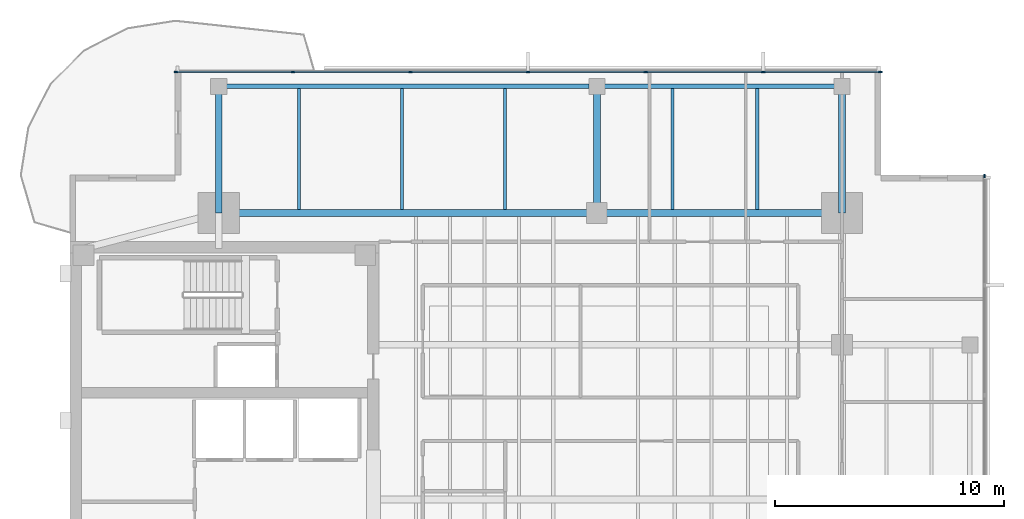
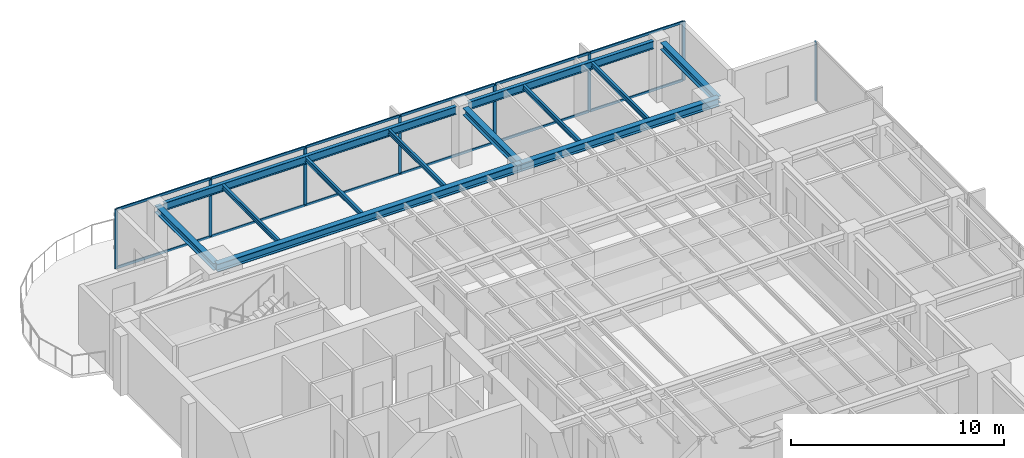
# One storey, part 5 of 13: 20 members, 12 beams, 2 elements without a shape of their own.
"""IFC4 building model written with IfcOpenShell, lengths in metres."""

from ifc_helpers import new_model, si_unit, direction, frame, origin, origin_2d, place, context, subcontext, project, spatial, rectangle, i_section, extrude, material, layer, layer_set, material_profile, profile_set, type_object, element, aggregate, save


model = new_model("IFC4")

# Units and contexts
model_context = context("Model", 3, precision=1e-05, world=origin(), true_north=direction((0.0, 1.0)))
body_context = subcontext(model_context, "Body", "Model", "MODEL_VIEW")
ifc_project = project(units=[si_unit("LENGTHUNIT", "METRE"), si_unit("AREAUNIT", "SQUARE_METRE"), si_unit("VOLUMEUNIT", "CUBIC_METRE"), si_unit("PLANEANGLEUNIT", "RADIAN"), si_unit("MASSUNIT", "GRAM", prefix="KILO")], contexts=[model_context])

# Site, building, storey
site_placement = place(None, origin())
site = spatial("IfcSite", under=ifc_project, at=site_placement, CompositionType="ELEMENT")
building_placement = place(site_placement, origin())
building = spatial("IfcBuilding", under=site, at=building_placement, Name="Kinhvarn Gate Tower", CompositionType="ELEMENT")
storey_placement = place(building_placement, frame((0.0, 0.0, 288.300048828125)))
storey = spatial("IfcBuildingStorey", under=building, at=storey_placement, Name="L77", CompositionType="ELEMENT", Elevation=288.300048828125)

# Curtain wall, members
ifc_material_1 = material(Name="Anodised aluminium AW-6063", Category="aluminium")
ifc_layer = layer(ifc_material_1, 0.179931640625)
ifc_layer_set = layer_set([ifc_layer], Name="Anodised aluminium AW-6063")
curtain_wall_type = type_object("IfcCurtainWallType", Name="CW-SYS-3", PredefinedType="NOTDEFINED", material=ifc_layer_set)
curtain_wall_1_placement = place(storey_placement, origin())
curtain_wall_1 = element("IfcCurtainWall", 1, at=curtain_wall_1_placement, inside=storey, type_object=curtain_wall_type, Name="Curtain Wall CW3 (L77)", PredefinedType="NOTDEFINED")
ifc_material_profile_1 = material_profile(ifc_material_1, rectangle(XDim=0.06494140625, YDim=0.159912109375, at=origin_2d()), Name="ALU 65x160")
ifc_profile_set_1 = profile_set([ifc_material_profile_1], Name="Anodised aluminium AW-6063")
member_type_1 = type_object("IfcMemberType", Name="CW-MUL-160", PredefinedType="MULLION", material=ifc_profile_set_1)
member_1_placement = place(storey_placement, frame((39.867431640625, 43.909912109375, 0.0), z_axis=(0.0, 0.0, 1.0), x_axis=(0.0, -1.0, 0.0)))
member_1 = element("IfcMember", 2, at=member_1_placement, type_object=member_type_1, Name="CW3 mullion 1", PredefinedType="MULLION", context=body_context, shape_type="SweptSolid", body=[
    extrude(rectangle(XDim=0.06494140625, YDim=0.159912109375, at=origin_2d()), origin(), (0.0, 0.0, 1.0), 3.389892578125),
])
member_2_placement = place(storey_placement, frame((34.7666015625, 43.909912109375, 0.0), z_axis=(0.0, 0.0, 1.0), x_axis=(0.0, -1.0, 0.0)))
member_2 = element("IfcMember", 3, at=member_2_placement, type_object=member_type_1, Name="CW3 mullion 2", PredefinedType="MULLION", context=body_context, shape_type="SweptSolid", body=[
    extrude(rectangle(XDim=0.06494140625, YDim=0.159912109375, at=origin_2d()), origin(), (0.0, 0.0, 1.0), 3.389892578125),
])
member_3_placement = place(storey_placement, frame((29.63330078125, 43.909912109375, 0.0), z_axis=(0.0, 0.0, 1.0), x_axis=(0.0, -1.0, 0.0)))
member_3 = element("IfcMember", 4, at=member_3_placement, type_object=member_type_1, Name="CW3 mullion 3", PredefinedType="MULLION", context=body_context, shape_type="SweptSolid", body=[
    extrude(rectangle(XDim=0.06494140625, YDim=0.159912109375, at=origin_2d()), origin(), (0.0, 0.0, 1.0), 3.389892578125),
])
member_4_placement = place(storey_placement, frame((24.5, 43.909912109375, 0.0), z_axis=(0.0, 0.0, 1.0), x_axis=(0.0, -1.0, 0.0)))
member_4 = element("IfcMember", 5, at=member_4_placement, type_object=member_type_1, Name="CW3 mullion 4", PredefinedType="MULLION", context=body_context, shape_type="SweptSolid", body=[
    extrude(rectangle(XDim=0.06494140625, YDim=0.159912109375, at=origin_2d()), origin(), (0.0, 0.0, 1.0), 3.389892578125),
])
member_5_placement = place(storey_placement, frame((19.36669921875, 43.909912109375, 0.0), z_axis=(0.0, 0.0, 1.0), x_axis=(0.0, -1.0, 0.0)))
member_5 = element("IfcMember", 6, at=member_5_placement, type_object=member_type_1, Name="CW3 mullion 5", PredefinedType="MULLION", context=body_context, shape_type="SweptSolid", body=[
    extrude(rectangle(XDim=0.06494140625, YDim=0.159912109375, at=origin_2d()), origin(), (0.0, 0.0, 1.0), 3.389892578125),
])
member_6_placement = place(storey_placement, frame((14.2333984375, 43.909912109375, 0.0), z_axis=(0.0, 0.0, 1.0), x_axis=(0.0, -1.0, 0.0)))
member_6 = element("IfcMember", 7, at=member_6_placement, type_object=member_type_1, Name="CW3 mullion 6", PredefinedType="MULLION", context=body_context, shape_type="SweptSolid", body=[
    extrude(rectangle(XDim=0.06494140625, YDim=0.159912109375, at=origin_2d()), origin(), (0.0, 0.0, 1.0), 3.389892578125),
])
member_7_placement = place(storey_placement, frame((9.132568359375, 43.909912109375, 0.0), z_axis=(0.0, 0.0, 1.0), x_axis=(0.0, -1.0, 0.0)))
member_7 = element("IfcMember", 8, at=member_7_placement, type_object=member_type_1, Name="CW3 mullion 7", PredefinedType="MULLION", context=body_context, shape_type="SweptSolid", body=[
    extrude(rectangle(XDim=0.06494140625, YDim=0.159912109375, at=origin_2d()), origin(), (0.0, 0.0, 1.0), 3.389892578125),
])

# Curtain wall, member
curtain_wall_2_placement = place(storey_placement, origin())
curtain_wall_2 = element("IfcCurtainWall", 9, at=curtain_wall_2_placement, inside=storey, type_object=curtain_wall_type, Name="Curtain Wall CW3 (L77)", PredefinedType="NOTDEFINED")
member_8_placement = place(storey_placement, frame((44.409912109375, 39.367431640625, 0.0), z_axis=(0.0, 0.0, 1.0), x_axis=(-1.0, 0.0, 0.0)))
member_8 = element("IfcMember", 10, at=member_8_placement, type_object=member_type_1, Name="CW3 mullion 7", PredefinedType="MULLION", context=body_context, shape_type="SweptSolid", body=[
    extrude(rectangle(XDim=0.06494140625, YDim=0.159912109375, at=origin_2d()), origin(), (0.0, 0.0, 1.0), 3.389892578125),
])
aggregate(curtain_wall_2, [member_8])

# Member
ifc_material_profile_2 = material_profile(ifc_material_1, rectangle(XDim=0.070068359375, YDim=0.139892578125, at=origin_2d()), Name="ALU 70x140")
ifc_profile_set_2 = profile_set([ifc_material_profile_2], Name="Anodised aluminium AW-6063")
member_type_2 = type_object("IfcMemberType", Name="CW-TRN-140", PredefinedType="USERDEFINED", material=ifc_profile_set_2)
member_9_placement = place(storey_placement, frame((39.8349609375, 43.909912109375, 0.034912109375), z_axis=(-1.0, 0.0, 0.0), x_axis=(0.0, -1.0, 0.0)))
member_9 = element("IfcMember", 11, at=member_9_placement, type_object=member_type_2, Name="CW3 transom 1.1", ObjectType="TRANSOM", PredefinedType="USERDEFINED", context=body_context, shape_type="SweptSolid", body=[
    extrude(rectangle(XDim=0.070068359375, YDim=0.139892578125, at=origin_2d()), origin(), (0.0, 0.0, 1.0), 5.035888671875),
])

member_10_placement = place(storey_placement, frame((39.8349609375, 43.909912109375, 3.35498046875), z_axis=(-1.0, 0.0, 0.0), x_axis=(0.0, -1.0, 0.0)))
member_10 = element("IfcMember", 12, at=member_10_placement, type_object=member_type_2, Name="CW3 transom 1.2", ObjectType="TRANSOM", PredefinedType="USERDEFINED", context=body_context, shape_type="SweptSolid", body=[
    extrude(rectangle(XDim=0.070068359375, YDim=0.139892578125, at=origin_2d()), origin(), (0.0, 0.0, 1.0), 5.035888671875),
])

member_11_placement = place(storey_placement, frame((34.734130859375, 43.909912109375, 0.034912109375), z_axis=(-1.0, 0.0, 0.0), x_axis=(0.0, -1.0, 0.0)))
member_11 = element("IfcMember", 13, at=member_11_placement, type_object=member_type_2, Name="CW3 transom 2.1", ObjectType="TRANSOM", PredefinedType="USERDEFINED", context=body_context, shape_type="SweptSolid", body=[
    extrude(rectangle(XDim=0.070068359375, YDim=0.139892578125, at=origin_2d()), origin(), (0.0, 0.0, 1.0), 5.068359375),
])

member_12_placement = place(storey_placement, frame((34.734130859375, 43.909912109375, 3.35498046875), z_axis=(-1.0, 0.0, 0.0), x_axis=(0.0, -1.0, 0.0)))
member_12 = element("IfcMember", 14, at=member_12_placement, type_object=member_type_2, Name="CW3 transom 2.2", ObjectType="TRANSOM", PredefinedType="USERDEFINED", context=body_context, shape_type="SweptSolid", body=[
    extrude(rectangle(XDim=0.070068359375, YDim=0.139892578125, at=origin_2d()), origin(), (0.0, 0.0, 1.0), 5.068359375),
])

member_13_placement = place(storey_placement, frame((29.600830078125, 43.909912109375, 0.034912109375), z_axis=(-1.0, 0.0, 0.0), x_axis=(0.0, -1.0, 0.0)))
member_13 = element("IfcMember", 15, at=member_13_placement, type_object=member_type_2, Name="CW3 transom 3.1", ObjectType="TRANSOM", PredefinedType="USERDEFINED", context=body_context, shape_type="SweptSolid", body=[
    extrude(rectangle(XDim=0.070068359375, YDim=0.139892578125, at=origin_2d()), origin(), (0.0, 0.0, 1.0), 5.068359375),
])

member_14_placement = place(storey_placement, frame((29.600830078125, 43.909912109375, 3.35498046875), z_axis=(-1.0, 0.0, 0.0), x_axis=(0.0, -1.0, 0.0)))
member_14 = element("IfcMember", 16, at=member_14_placement, type_object=member_type_2, Name="CW3 transom 3.2", ObjectType="TRANSOM", PredefinedType="USERDEFINED", context=body_context, shape_type="SweptSolid", body=[
    extrude(rectangle(XDim=0.070068359375, YDim=0.139892578125, at=origin_2d()), origin(), (0.0, 0.0, 1.0), 5.068359375),
])

member_15_placement = place(storey_placement, frame((24.467529296875, 43.909912109375, 0.034912109375), z_axis=(-1.0, 0.0, 0.0), x_axis=(0.0, -1.0, 0.0)))
member_15 = element("IfcMember", 17, at=member_15_placement, type_object=member_type_2, Name="CW3 transom 4.1", ObjectType="TRANSOM", PredefinedType="USERDEFINED", context=body_context, shape_type="SweptSolid", body=[
    extrude(rectangle(XDim=0.070068359375, YDim=0.139892578125, at=origin_2d()), origin(), (0.0, 0.0, 1.0), 5.068359375),
])

member_16_placement = place(storey_placement, frame((24.467529296875, 43.909912109375, 3.35498046875), z_axis=(-1.0, 0.0, 0.0), x_axis=(0.0, -1.0, 0.0)))
member_16 = element("IfcMember", 18, at=member_16_placement, type_object=member_type_2, Name="CW3 transom 4.2", ObjectType="TRANSOM", PredefinedType="USERDEFINED", context=body_context, shape_type="SweptSolid", body=[
    extrude(rectangle(XDim=0.070068359375, YDim=0.139892578125, at=origin_2d()), origin(), (0.0, 0.0, 1.0), 5.068359375),
])

member_17_placement = place(storey_placement, frame((19.334228515625, 43.909912109375, 0.034912109375), z_axis=(-1.0, 0.0, 0.0), x_axis=(0.0, -1.0, 0.0)))
member_17 = element("IfcMember", 19, at=member_17_placement, type_object=member_type_2, Name="CW3 transom 5.1", ObjectType="TRANSOM", PredefinedType="USERDEFINED", context=body_context, shape_type="SweptSolid", body=[
    extrude(rectangle(XDim=0.070068359375, YDim=0.139892578125, at=origin_2d()), origin(), (0.0, 0.0, 1.0), 5.068359375),
])

member_18_placement = place(storey_placement, frame((19.334228515625, 43.909912109375, 3.35498046875), z_axis=(-1.0, 0.0, 0.0), x_axis=(0.0, -1.0, 0.0)))
member_18 = element("IfcMember", 20, at=member_18_placement, type_object=member_type_2, Name="CW3 transom 5.2", ObjectType="TRANSOM", PredefinedType="USERDEFINED", context=body_context, shape_type="SweptSolid", body=[
    extrude(rectangle(XDim=0.070068359375, YDim=0.139892578125, at=origin_2d()), origin(), (0.0, 0.0, 1.0), 5.068359375),
])

member_19_placement = place(storey_placement, frame((14.200927734375, 43.909912109375, 0.034912109375), z_axis=(-1.0, 0.0, 0.0), x_axis=(0.0, -1.0, 0.0)))
member_19 = element("IfcMember", 21, at=member_19_placement, type_object=member_type_2, Name="CW3 transom 6.1", ObjectType="TRANSOM", PredefinedType="USERDEFINED", context=body_context, shape_type="SweptSolid", body=[
    extrude(rectangle(XDim=0.070068359375, YDim=0.139892578125, at=origin_2d()), origin(), (0.0, 0.0, 1.0), 5.035888671875),
])

member_20_placement = place(storey_placement, frame((14.200927734375, 43.909912109375, 3.35498046875), z_axis=(-1.0, 0.0, 0.0), x_axis=(0.0, -1.0, 0.0)))
member_20 = element("IfcMember", 22, at=member_20_placement, type_object=member_type_2, Name="CW3 transom 6.2", ObjectType="TRANSOM", PredefinedType="USERDEFINED", context=body_context, shape_type="SweptSolid", body=[
    extrude(rectangle(XDim=0.070068359375, YDim=0.139892578125, at=origin_2d()), origin(), (0.0, 0.0, 1.0), 5.035888671875),
])

aggregate(curtain_wall_1, [member_1, member_2, member_3, member_4, member_5, member_6, member_7, member_9, member_10, member_11, member_12, member_13, member_14, member_15, member_16, member_17, member_18, member_19, member_20])

# Beams
ifc_material_2 = material(Name="Steel S355", Category="steel")
ifc_material_profile_3 = material_profile(ifc_material_2, i_section(OverallWidth=0.300048828125, OverallDepth=0.39990234375, WebThickness=0.013427734375, FlangeThickness=0.02392578125, at=origin_2d()), Name="HEB 400")
ifc_profile_set_3 = profile_set([ifc_material_profile_3], Name="Steel S355")
beam_type_1 = type_object("IfcBeamType", Name="STL-HEB400", PredefinedType="BEAM", material=ifc_profile_set_3)
beam_1_placement = place(storey_placement, frame((11.0, 37.75, 3.18994140625), z_axis=(0.0, 1.0, 0.0), x_axis=(-1.0, 0.0, 0.0)))
element("IfcBeam", 23, at=beam_1_placement, inside=storey, type_object=beam_type_1, Name="Floor Beam PG-12 (L77 MCW-N)", PredefinedType="BEAM", context=body_context, shape_type="SweptSolid", body=[
    extrude(i_section(OverallWidth=0.300048828125, OverallDepth=0.39990234375, WebThickness=0.013427734375, FlangeThickness=0.02392578125, at=origin_2d()), origin(), (0.0, 0.0, 1.0), 5.530029296875),
])
for number, where, z_axis, x_axis, name in (
    (24, (27.5, 37.75, 3.18994140625), (0.0, 1.0, 0.0), (-1.0, 0.0, 0.0), "Floor Beam PG-12 (L77 SP27-N-TIE)"),
    (25, (38.199951171875, 37.75, 3.18994140625), (0.0, 1.0, 0.0), (-1.0, 0.0, 0.0), "Floor Beam PG-12 (L77 MCE-N)"),
):
    element("IfcBeam", number, at=place(storey_placement, frame(where, z_axis=z_axis, x_axis=x_axis)), inside=storey, type_object=beam_type_1, Name=name, PredefinedType="BEAM", context=body_context, shape_type="SweptSolid", body=[
        extrude(i_section(OverallWidth=0.300048828125, OverallDepth=0.39990234375, WebThickness=0.013427734375, FlangeThickness=0.02392578125, at=origin_2d()), origin(), (0.0, 0.0, 1.0), 5.195068359375),
    ])
ifc_material_profile_4 = material_profile(ifc_material_2, i_section(OverallWidth=0.300048828125, OverallDepth=0.449951171875, WebThickness=0.013916015625, FlangeThickness=0.02587890625, at=origin_2d()), Name="HEB 450")
ifc_profile_set_4 = profile_set([ifc_material_profile_4], Name="Steel S355")
beam_type_2 = type_object("IfcBeamType", Name="STL-HEB450", PredefinedType="BEAM", material=ifc_profile_set_4)
beam_2_placement = place(storey_placement, frame((11.0, 37.75, 3.1650390625), z_axis=(1.0, 0.0, 0.0), x_axis=(0.0, 1.0, 0.0)))
element("IfcBeam", 26, at=beam_2_placement, inside=storey, type_object=beam_type_2, Name="Floor Beam PG-13 (L77 MG-N1)", PredefinedType="BEAM", context=body_context, shape_type="SweptSolid", body=[
    extrude(i_section(OverallWidth=0.300048828125, OverallDepth=0.449951171875, WebThickness=0.013916015625, FlangeThickness=0.02587890625, at=origin_2d()), origin(), (0.0, 0.0, 1.0), 16.5),
])
beam_3_placement = place(storey_placement, frame((27.5, 37.75, 3.1650390625), z_axis=(1.0, 0.0, 0.0), x_axis=(0.0, 1.0, 0.0)))
element("IfcBeam", 27, at=beam_3_placement, inside=storey, type_object=beam_type_2, Name="Floor Beam PG-13 (L77 MG-N2)", PredefinedType="BEAM", context=body_context, shape_type="SweptSolid", body=[
    extrude(i_section(OverallWidth=0.300048828125, OverallDepth=0.449951171875, WebThickness=0.013916015625, FlangeThickness=0.02587890625, at=origin_2d()), origin(), (0.0, 0.0, 1.0), 10.699951171875),
])
ifc_material_profile_5 = material_profile(ifc_material_2, i_section(OverallWidth=0.135009765625, OverallDepth=0.27001953125, WebThickness=0.006591796875, FlangeThickness=0.01025390625, at=origin_2d()), Name="IPE 270")
ifc_profile_set_5 = profile_set([ifc_material_profile_5], Name="Steel S355")
beam_type_3 = type_object("IfcBeamType", Name="STL-IPE270", PredefinedType="JOIST", material=ifc_profile_set_5)
for number, where, z_axis, x_axis, name in (
    (28, (14.5, 37.89990234375, 3.2548828125), (0.0, 1.0, 0.0), (-1.0, 0.0, 0.0), "Floor Joist SB-01 (L77 JN-X145)"),
    (29, (19.0, 37.89990234375, 3.2548828125), (0.0, 1.0, 0.0), (-1.0, 0.0, 0.0), "Floor Joist SB-01 (L77 JN-X190)"),
    (30, (23.5, 37.89990234375, 3.2548828125), (0.0, 1.0, 0.0), (-1.0, 0.0, 0.0), "Floor Joist SB-01 (L77 JN-X235)"),
    (31, (30.800048828125, 37.89990234375, 3.2548828125), (0.0, 1.0, 0.0), (-1.0, 0.0, 0.0), "Floor Joist SB-01 (L77 JN-X308)"),
    (32, (34.5, 37.89990234375, 3.2548828125), (0.0, 1.0, 0.0), (-1.0, 0.0, 0.0), "Floor Joist SB-01 (L77 JN-X345)"),
):
    element("IfcBeam", number, at=place(storey_placement, frame(where, z_axis=z_axis, x_axis=x_axis)), inside=storey, type_object=beam_type_3, Name=name, PredefinedType="JOIST", context=body_context, shape_type="SweptSolid", body=[
        extrude(i_section(OverallWidth=0.135009765625, OverallDepth=0.27001953125, WebThickness=0.006591796875, FlangeThickness=0.01025390625, at=origin_2d()), origin(), (0.0, 0.0, 1.0), 5.28515625),
    ])
ifc_material_profile_6 = material_profile(ifc_material_2, i_section(OverallWidth=0.18994140625, OverallDepth=0.449951171875, WebThickness=0.009521484375, FlangeThickness=0.0146484375, at=origin_2d()), Name="IPE 450")
ifc_profile_set_6 = profile_set([ifc_material_profile_6], Name="Steel S355")
beam_type_4 = type_object("IfcBeamType", Name="STL-IPE450", PredefinedType="JOIST", material=ifc_profile_set_6)
beam_4_placement = place(storey_placement, frame((11.3349609375, 43.280029296875, 3.1650390625), z_axis=(1.0, 0.0, 0.0), x_axis=(0.0, 1.0, 0.0)))
element("IfcBeam", 33, at=beam_4_placement, inside=storey, type_object=beam_type_4, Name="Floor Joist SB-06 (L77 SP-N1)", PredefinedType="JOIST", context=body_context, shape_type="SweptSolid", body=[
    extrude(i_section(OverallWidth=0.18994140625, OverallDepth=0.449951171875, WebThickness=0.009521484375, FlangeThickness=0.0146484375, at=origin_2d()), origin(), (0.0, 0.0, 1.0), 15.830078125),
])
beam_5_placement = place(storey_placement, frame((27.8349609375, 43.280029296875, 3.1650390625), z_axis=(1.0, 0.0, 0.0), x_axis=(0.0, 1.0, 0.0)))
element("IfcBeam", 34, at=beam_5_placement, inside=storey, type_object=beam_type_4, Name="Floor Joist SB-06 (L77 SP-N2)", PredefinedType="JOIST", context=body_context, shape_type="SweptSolid", body=[
    extrude(i_section(OverallWidth=0.18994140625, OverallDepth=0.449951171875, WebThickness=0.009521484375, FlangeThickness=0.0146484375, at=origin_2d()), origin(), (0.0, 0.0, 1.0), 10.030029296875),
])

save(model, "model.ifc")
